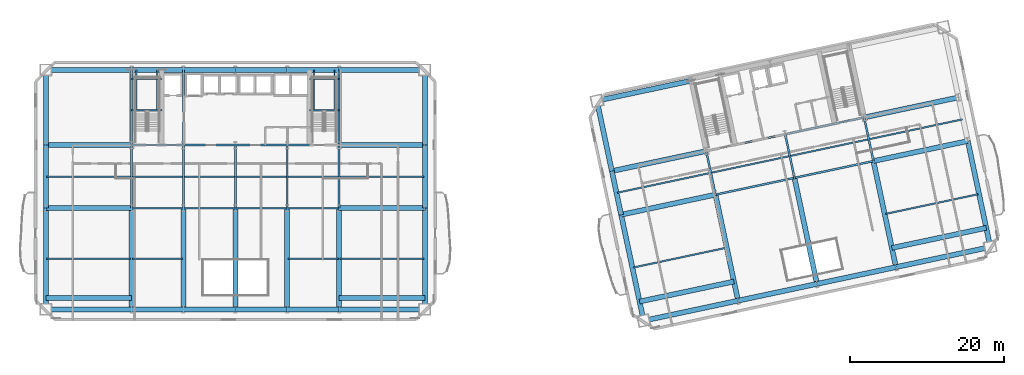
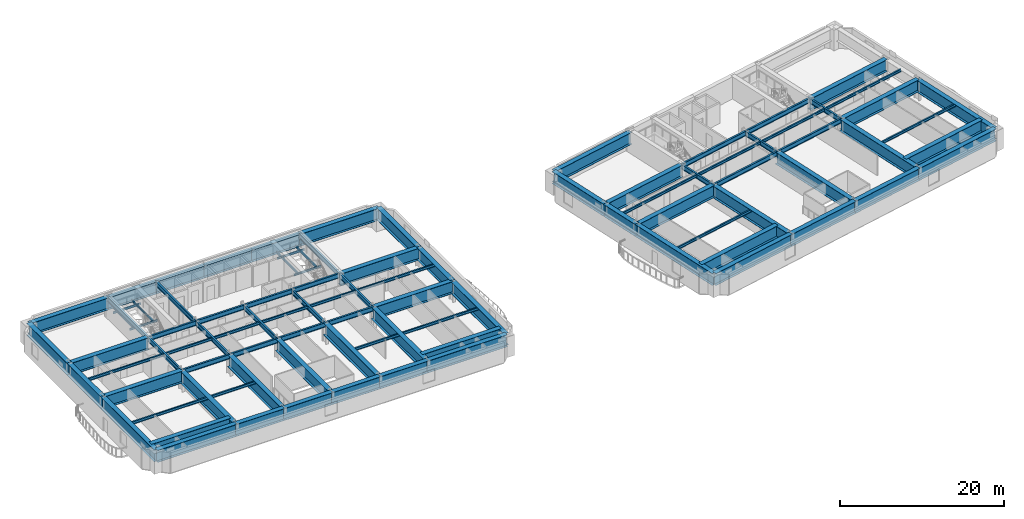
# One storey, part 3 of 18: 94 beams.
"""IFC4 building model written with IfcOpenShell, lengths in metres."""

import ifcopenshell
import ifcopenshell.guid

model = None  # the IFC model being written
_history = None  # IfcOwnerHistory: only IFC2X3 demands one
_inside = {}  # id of a spatial element -> (the spatial element, [elements in it])
_under = {}  # id of a project, library or spatial element -> (it, [spatial elements below it])
_declared = {}  # id of a project -> (the project, [libraries it declares])
_typed = {}  # id of a type object -> (the type object, [elements of that type])
_made_of = {}  # id of a material, layer set ... -> (it, [elements and type objects made of it])


def new_model(schema):
    """Start an empty IFC model of exactly this schema.

    Asked for "IFC4X3", IfcOpenShell would pick the latest addendum, in which some entities
    have other attributes; the version numbers below select the first issue.
    IFC2X3 requires an IfcOwnerHistory on every rooted entity: one is made here for all.
    """
    global model, _history
    if schema == "IFC4X3":
        model = ifcopenshell.file(schema_version=(4, 3, 0, 0))
    else:
        model = ifcopenshell.file(schema=schema)
    _inside.clear()
    _under.clear()
    _declared.clear()
    _typed.clear()
    _made_of.clear()
    _history = None
    if model.schema == "IFC2X3":
        org = make("IfcOrganization", Name="unknown")
        user = make(
            "IfcPersonAndOrganization",
            ThePerson=make("IfcPerson", FamilyName="unknown"),
            TheOrganization=org,
        )
        app = make(
            "IfcApplication",
            ApplicationDeveloper=org,
            Version="unknown",
            ApplicationFullName="unknown",
            ApplicationIdentifier="unknown",
        )
        _history = make(
            "IfcOwnerHistory",
            OwningUser=user,
            OwningApplication=app,
            ChangeAction="ADDED",
            CreationDate=0,
        )
    return model


def make(cls, **values):
    """One entity of the class cls with the attributes given. An attribute that is None is left unset."""
    return model.create_entity(
        cls, **{name: value for name, value in values.items() if value is not None}
    )


def rooted(cls, **values):
    """An entity with a GlobalId (a new one), such as an element, a storey or a relation."""
    return make(cls, GlobalId=ifcopenshell.guid.new(), OwnerHistory=_history, **values)


def si_unit(unit_type, name, prefix=None):
    """IfcSIUnit, for example si_unit("LENGTHUNIT", "METRE", prefix="MILLI")."""
    return make("IfcSIUnit", UnitType=unit_type, Prefix=prefix, Name=name)


def assignment(units):
    """IfcUnitAssignment: the units of a project."""
    return None if units is None else make("IfcUnitAssignment", Units=units)


def point(xyz):
    """IfcCartesianPoint."""
    return None if xyz is None else make("IfcCartesianPoint", Coordinates=xyz)


def direction(xyz):
    """IfcDirection."""
    return None if xyz is None else make("IfcDirection", DirectionRatios=xyz)


def frame(location, z_axis=None, x_axis=None):
    """IfcAxis2Placement3D, a coordinate frame: its origin and axes. An axis left out is left unset."""
    return make(
        "IfcAxis2Placement3D",
        Location=point(location),
        Axis=direction(z_axis),
        RefDirection=direction(x_axis),
    )


def frame_2d(location, x_axis=None):
    """IfcAxis2Placement2D, a coordinate frame in the plane: its origin and x axis."""
    return make(
        "IfcAxis2Placement2D", Location=point(location), RefDirection=direction(x_axis)
    )


def origin():
    """The frame at (0, 0, 0) with its axes left unset."""
    return frame((0.0, 0.0, 0.0))


def origin_2d():
    """The frame at (0, 0) in the plane with its x axis left unset."""
    return frame_2d((0.0, 0.0))


def place(relative_to, where):
    """IfcLocalPlacement: puts the frame where relative to a parent placement (None: the world)."""
    return make(
        "IfcLocalPlacement", PlacementRelTo=relative_to, RelativePlacement=where
    )


def context(
    kind, dimensions, precision=None, world=None, true_north=None, identifier=None
):
    """IfcGeometricRepresentationContext, for example the 3D "Model" context."""
    return make(
        "IfcGeometricRepresentationContext",
        ContextIdentifier=identifier,
        ContextType=kind,
        CoordinateSpaceDimension=dimensions,
        Precision=precision,
        WorldCoordinateSystem=world,
        TrueNorth=true_north,
    )


def subcontext(parent, identifier, kind, view, scale=None):
    """IfcGeometricRepresentationSubContext, for example "Body" below "Model"."""
    return make(
        "IfcGeometricRepresentationSubContext",
        ContextIdentifier=identifier,
        ContextType=kind,
        ParentContext=parent,
        TargetScale=scale,
        TargetView=view,
    )


def project(units=None, contexts=None):
    """IfcProject with its units and contexts."""
    return rooted(
        "IfcProject",
        Name="project",
        RepresentationContexts=contexts,
        UnitsInContext=assignment(units),
    )


def spatial(cls, under=None, at=None, **own):
    """A site, building, storey or space (cls), placed at a placement, below another one or the project."""
    s = rooted(cls, ObjectPlacement=at, **own)
    if under is not None:
        _under.setdefault(under.id(), (under, []))[1].append(s)
    return s


def profile(cls, at=None, kind="AREA", **sizes):
    """A parametric profile (cls). Its sizes go by their IFC names, for example OverallWidth=200.0."""
    return make(cls, ProfileType=kind, Position=at, **sizes)


def i_section(**sizes):
    """IfcIShapeProfileDef."""
    return profile("IfcIShapeProfileDef", **sizes)


def extrude(swept, where, along, depth):
    """IfcExtrudedAreaSolid: the profile swept, set in the frame where, extruded along a direction by depth."""
    return make(
        "IfcExtrudedAreaSolid",
        SweptArea=swept,
        Position=where,
        ExtrudedDirection=direction(along),
        Depth=depth,
    )


def shape(context_of_items, identifier, shape_type, items):
    """IfcShapeRepresentation: the items that make up one representation, for example the "Body"."""
    return make(
        "IfcShapeRepresentation",
        ContextOfItems=context_of_items,
        RepresentationIdentifier=identifier,
        RepresentationType=shape_type,
        Items=items,
    )


def material(Name=None, Category=None):
    """IfcMaterial."""
    return make("IfcMaterial", Name=Name, Category=Category)


def material_profile(
    of_material, cross_section, Name=None, Category=None, Priority=None
):
    """IfcMaterialProfile: a cross section and its material."""
    return make(
        "IfcMaterialProfile",
        Name=Name,
        Material=of_material,
        Profile=cross_section,
        Priority=Priority,
        Category=Category,
    )


def profile_set(profiles, Name=None, composite=None):
    """IfcMaterialProfileSet."""
    return make(
        "IfcMaterialProfileSet",
        Name=Name,
        MaterialProfiles=profiles,
        CompositeProfile=composite,
    )


def made_of(thing, what):
    """Note that an element or type object is made of a material, layer set ...; save() writes the relation."""
    if what is not None:
        _made_of.setdefault(what.id(), (what, []))[1].append(thing)
    return thing


def type_object(cls, material=None, **own):
    """A type object (cls), such as IfcWallType, which elements share."""
    return made_of(rooted(cls, **own), material)


def element(
    cls,
    number,
    at=None,
    inside=None,
    cuts=None,
    type_object=None,
    material=None,
    context=None,
    identifier="Body",
    shape_type=None,
    held_by="IfcProductDefinitionShape",
    body=None,
    shapes=None,
    **own,
):
    """One element of the class cls, such as IfcWall. Its Tag is "e" and its number.

    at: its placement. inside: the storey or other place that contains it. cuts: it is an
    opening in that element (IfcRelVoidsElement). A single representation is given by context,
    identifier, shape_type and body (its items); several are given by shapes. held_by: the class
    of the entity that holds the representations. save() writes the other relations.
    """
    e = rooted(cls, Tag="e%d" % number, ObjectPlacement=at, **own)
    if body is not None:
        shapes = [shape(context, identifier, shape_type, body)]
    if shapes is not None:
        e.Representation = make(held_by, Representations=shapes)
    if inside is not None:
        _inside.setdefault(inside.id(), (inside, []))[1].append(e)
    if cuts is not None:
        rooted(
            "IfcRelVoidsElement", RelatingBuildingElement=cuts, RelatedOpeningElement=e
        )
    if type_object is not None:
        _typed.setdefault(type_object.id(), (type_object, []))[1].append(e)
    return made_of(e, material)


def aggregate(whole, parts):
    """IfcRelAggregates: a whole, such as a stair, and the parts it consists of."""
    return rooted("IfcRelAggregates", RelatingObject=whole, RelatedObjects=parts)


def save(model, path):
    """Write the relations noted so far, then the file.

    IfcRelAggregates (storeys below a building ...), IfcRelContainedInSpatialStructure (elements
    in a storey), IfcRelDefinesByType, IfcRelAssociatesMaterial and IfcRelDeclares: one each for
    every whole, place, type object, material and project.
    """
    for whole, parts in _under.values():
        aggregate(whole, parts)
    for where, things in _inside.values():
        rooted(
            "IfcRelContainedInSpatialStructure",
            RelatedElements=things,
            RelatingStructure=where,
        )
    for kind, things in _typed.values():
        rooted("IfcRelDefinesByType", RelatedObjects=things, RelatingType=kind)
    for what, things in _made_of.values():
        rooted("IfcRelAssociatesMaterial", RelatedObjects=things, RelatingMaterial=what)
    for by, libraries in _declared.values():
        rooted("IfcRelDeclares", RelatingContext=by, RelatedDefinitions=libraries)
    model.write(path)


model = new_model("IFC4")

# Units and contexts
model_context = context("Model", 3, precision=1e-05, world=origin(), true_north=direction((0.0, 1.0)))
body_context = subcontext(model_context, "Body", "Model", "MODEL_VIEW")
ifc_project = project(units=[si_unit("LENGTHUNIT", "METRE"), si_unit("AREAUNIT", "SQUARE_METRE"), si_unit("VOLUMEUNIT", "CUBIC_METRE"), si_unit("PLANEANGLEUNIT", "RADIAN"), si_unit("MASSUNIT", "GRAM", prefix="KILO")], contexts=[model_context])

# Site, building, storey
site_placement = place(None, origin())
site = spatial("IfcSite", under=ifc_project, at=site_placement, CompositionType="ELEMENT")
building_placement = place(site_placement, origin())
building = spatial("IfcBuilding", under=site, at=building_placement, Name="Haevon Station Towers", CompositionType="ELEMENT")
storey_placement = place(building_placement, frame((0.0, 0.0, 66.89990234375)))
storey = spatial("IfcBuildingStorey", under=building, at=storey_placement, Name="L17", CompositionType="ELEMENT", Elevation=66.89990234375)

# Beams
ifc_material_1 = material(Name="Steel S355", Category="steel")
ifc_material_profile_1 = material_profile(ifc_material_1, i_section(OverallWidth=0.25, OverallDepth=0.699951171875, WebThickness=0.012939453125, FlangeThickness=0.02392578125, at=origin_2d()), Name="H-700x250x13x24")
ifc_profile_set_1 = profile_set([ifc_material_profile_1], Name="Steel S355")
beam_type_1 = type_object("IfcBeamType", Name="BM-G700", PredefinedType="BEAM", material=ifc_profile_set_1)
for number, where, z_axis, x_axis, name in (
    (1, (24.0, 30.0, 2.7001953125), (1.0, 0.0, 0.0), (0.0, 1.0, 0.0), "BM-T1U-L17-02-02"),
    (2, (30.75, 30.0, 2.7001953125), (1.0, 0.0, 0.0), (0.0, 1.0, 0.0), "BM-T1U-L17-02-03"),
    (3, (37.5, 30.0, 2.7001953125), (1.0, 0.0, 0.0), (0.0, 1.0, 0.0), "BM-T1U-L17-02-04"),
    (4, (44.25, 30.0, 2.7001953125), (1.0, 0.0, 0.0), (0.0, 1.0, 0.0), "BM-T1U-L17-02-05"),
    (5, (24.0, 38.199951171875, 2.7001953125), (1.0, 0.0, 0.0), (0.0, 1.0, 0.0), "BM-T1U-L17-03-02"),
    (6, (30.75, 38.199951171875, 2.7001953125), (1.0, 0.0, 0.0), (0.0, 1.0, 0.0), "BM-T1U-L17-03-03"),
    (7, (37.5, 38.199951171875, 2.7001953125), (1.0, 0.0, 0.0), (0.0, 1.0, 0.0), "BM-T1U-L17-03-04"),
    (8, (44.25, 38.199951171875, 2.7001953125), (1.0, 0.0, 0.0), (0.0, 1.0, 0.0), "BM-T1U-L17-03-05"),
):
    element("IfcBeam", number, at=place(storey_placement, frame(where, z_axis=z_axis, x_axis=x_axis)), inside=storey, type_object=beam_type_1, Name=name, PredefinedType="BEAM", context=body_context, shape_type="SweptSolid", body=[
        extrude(i_section(OverallWidth=0.25, OverallDepth=0.699951171875, WebThickness=0.012939453125, FlangeThickness=0.02392578125, at=origin_2d()), origin(), (0.0, 0.0, 1.0), 6.75),
    ])
beam_1_placement = place(storey_placement, frame((24.0, 30.0, 2.7001953125), z_axis=(0.0, 1.0, 0.0), x_axis=(-1.0, 0.0, 0.0)))
element("IfcBeam", 9, at=beam_1_placement, inside=storey, type_object=beam_type_1, Name="BM-T1V-L17-02-02", PredefinedType="BEAM", context=body_context, shape_type="SweptSolid", body=[
    extrude(i_section(OverallWidth=0.25, OverallDepth=0.699951171875, WebThickness=0.012939453125, FlangeThickness=0.02392578125, at=origin_2d()), origin(), (0.0, 0.0, 1.0), 8.199951171875),
])
beam_2_placement = place(storey_placement, frame((24.0, 38.199951171875, 2.7001953125), z_axis=(0.0, 1.0, 0.0), x_axis=(-1.0, 0.0, 0.0)))
element("IfcBeam", 10, at=beam_2_placement, inside=storey, type_object=beam_type_1, Name="BM-T1V-L17-02-03", PredefinedType="BEAM", context=body_context, shape_type="SweptSolid", body=[
    extrude(i_section(OverallWidth=0.25, OverallDepth=0.699951171875, WebThickness=0.012939453125, FlangeThickness=0.02392578125, at=origin_2d()), origin(), (0.0, 0.0, 1.0), 9.800048828125),
])
beam_3_placement = place(storey_placement, frame((30.75, 30.0, 2.7001953125), z_axis=(0.0, 1.0, 0.0), x_axis=(-1.0, 0.0, 0.0)))
element("IfcBeam", 11, at=beam_3_placement, inside=storey, type_object=beam_type_1, Name="BM-T1V-L17-03-02", PredefinedType="BEAM", context=body_context, shape_type="SweptSolid", body=[
    extrude(i_section(OverallWidth=0.25, OverallDepth=0.699951171875, WebThickness=0.012939453125, FlangeThickness=0.02392578125, at=origin_2d()), origin(), (0.0, 0.0, 1.0), 8.199951171875),
])
beam_4_placement = place(storey_placement, frame((30.75, 38.199951171875, 2.7001953125), z_axis=(0.0, 1.0, 0.0), x_axis=(-1.0, 0.0, 0.0)))
element("IfcBeam", 12, at=beam_4_placement, inside=storey, type_object=beam_type_1, Name="BM-T1V-L17-03-03", PredefinedType="BEAM", context=body_context, shape_type="SweptSolid", body=[
    extrude(i_section(OverallWidth=0.25, OverallDepth=0.699951171875, WebThickness=0.012939453125, FlangeThickness=0.02392578125, at=origin_2d()), origin(), (0.0, 0.0, 1.0), 9.800048828125),
])
for number, where, z_axis, x_axis, name in (
    (13, (37.5, 30.0, 2.7001953125), (0.0, 1.0, 0.0), (-1.0, 0.0, 0.0), "BM-T1V-L17-04-02"),
    (14, (44.25, 30.0, 2.7001953125), (0.0, 1.0, 0.0), (-1.0, 0.0, 0.0), "BM-T1V-L17-05-02"),
    (15, (51.0, 30.0, 2.7001953125), (0.0, 1.0, 0.0), (-1.0, 0.0, 0.0), "BM-T1V-L17-06-02"),
):
    element("IfcBeam", number, at=place(storey_placement, frame(where, z_axis=z_axis, x_axis=x_axis)), inside=storey, type_object=beam_type_1, Name=name, PredefinedType="BEAM", context=body_context, shape_type="SweptSolid", body=[
        extrude(i_section(OverallWidth=0.25, OverallDepth=0.699951171875, WebThickness=0.012939453125, FlangeThickness=0.02392578125, at=origin_2d()), origin(), (0.0, 0.0, 1.0), 8.199951171875),
    ])
beam_5_placement = place(storey_placement, frame((51.0, 38.199951171875, 2.7001953125), z_axis=(0.0, 1.0, 0.0), x_axis=(-1.0, 0.0, 0.0)))
element("IfcBeam", 16, at=beam_5_placement, inside=storey, type_object=beam_type_1, Name="BM-T1V-L17-06-03", PredefinedType="BEAM", context=body_context, shape_type="SweptSolid", body=[
    extrude(i_section(OverallWidth=0.25, OverallDepth=0.699951171875, WebThickness=0.012939453125, FlangeThickness=0.02392578125, at=origin_2d()), origin(), (0.0, 0.0, 1.0), 9.800048828125),
])
for number, where, z_axis, x_axis, name in (
    (17, (99.958251953125, 31.76904296875, 2.7001953125), (0.978146794194, 0.207915485254, 0.0), (-0.207915485254, 0.978146794194, 0.0), "BM-T2U-L17-02-02"),
    (18, (110.228759765625, 33.9521484375, 2.7001953125), (0.978146794194, 0.207915485254, 0.0), (-0.207915485254, 0.978146794194, 0.0), "BM-T2U-L17-02-03"),
    (19, (98.75244140625, 37.4423828125, 2.7001953125), (0.978146794194, 0.207915485254, 0.0), (-0.207915485254, 0.978146794194, 0.0), "BM-T2U-L17-03-02"),
    (20, (109.02294921875, 39.62548828125, 2.7001953125), (0.978146794194, 0.207915485254, 0.0), (-0.207915485254, 0.978146794194, 0.0), "BM-T2U-L17-03-03"),
):
    element("IfcBeam", number, at=place(storey_placement, frame(where, z_axis=z_axis, x_axis=x_axis)), inside=storey, type_object=beam_type_1, Name=name, PredefinedType="BEAM", context=body_context, shape_type="SweptSolid", body=[
        extrude(i_section(OverallWidth=0.25, OverallDepth=0.699951171875, WebThickness=0.012939453125, FlangeThickness=0.02392578125, at=origin_2d()), origin(), (0.0, 0.0, 1.0), 10.5),
    ])
for number, where, z_axis, x_axis, name in (
    (21, (99.958251953125, 31.76904296875, 2.7001953125), (-0.207896009217, 0.97815093383, 0.0), (-0.97815093383, -0.207896009217, 0.0), "BM-T2V-L17-02-02"),
    (22, (110.228759765625, 33.9521484375, 2.7001953125), (-0.207896009217, 0.97815093383, 0.0), (-0.97815093383, -0.207896009217, 0.0), "BM-T2V-L17-03-02"),
    (23, (120.499267578125, 36.13525390625, 2.7001953125), (-0.207896009217, 0.97815093383, 0.0), (-0.97815093383, -0.207896009217, 0.0), "BM-T2V-L17-04-02"),
):
    element("IfcBeam", number, at=place(storey_placement, frame(where, z_axis=z_axis, x_axis=x_axis)), inside=storey, type_object=beam_type_1, Name=name, PredefinedType="BEAM", context=body_context, shape_type="SweptSolid", body=[
        extrude(i_section(OverallWidth=0.25, OverallDepth=0.699951171875, WebThickness=0.012939453125, FlangeThickness=0.02392578125, at=origin_2d()), origin(), (0.0, 0.0, 1.0), 5.800048828125),
    ])
ifc_material_profile_2 = material_profile(ifc_material_1, i_section(OverallWidth=0.199951171875, OverallDepth=0.39990234375, WebThickness=0.008056640625, FlangeThickness=0.012939453125, at=origin_2d()), Name="H-400x200x8x13")
ifc_profile_set_2 = profile_set([ifc_material_profile_2], Name="Steel S355")
beam_type_2 = type_object("IfcBeamType", Name="BM-J400", PredefinedType="JOIST", material=ifc_profile_set_2)
beam_6_placement = place(storey_placement, frame((12.9599609375, 23.425048828125, 2.85009765625), z_axis=(1.0, 0.0, 0.0), x_axis=(0.0, 1.0, 0.0)))
element("IfcBeam", 24, at=beam_6_placement, inside=storey, type_object=beam_type_2, Name="BM-T1J-L17-01-01", PredefinedType="JOIST", context=body_context, shape_type="SweptSolid", body=[
    extrude(i_section(OverallWidth=0.199951171875, OverallDepth=0.39990234375, WebThickness=0.008056640625, FlangeThickness=0.012939453125, at=origin_2d()), origin(), (0.0, 0.0, 1.0), 10.929931640625),
])
for number, where, z_axis, x_axis, name in (
    (25, (24.110107421875, 23.425048828125, 2.85009765625), (1.0, 0.0, 0.0), (0.0, 1.0, 0.0), "BM-T1J-L17-01-02"),
    (26, (44.360107421875, 23.425048828125, 2.85009765625), (1.0, 0.0, 0.0), (0.0, 1.0, 0.0), "BM-T1J-L17-01-05"),
):
    element("IfcBeam", number, at=place(storey_placement, frame(where, z_axis=z_axis, x_axis=x_axis)), inside=storey, type_object=beam_type_2, Name=name, PredefinedType="JOIST", context=body_context, shape_type="SweptSolid", body=[
        extrude(i_section(OverallWidth=0.199951171875, OverallDepth=0.39990234375, WebThickness=0.008056640625, FlangeThickness=0.012939453125, at=origin_2d()), origin(), (0.0, 0.0, 1.0), 6.52978515625),
    ])
for number, where, z_axis, x_axis, name in (
    (27, (51.110107421875, 23.425048828125, 2.85009765625), (1.0, 0.0, 0.0), (0.0, 1.0, 0.0), "BM-T1J-L17-01-06"),
    (28, (12.9599609375, 34.10009765625, 2.85009765625), (1.0, 0.0, 0.0), (0.0, 1.0, 0.0), "BM-T1J-L17-02-01"),
):
    element("IfcBeam", number, at=place(storey_placement, frame(where, z_axis=z_axis, x_axis=x_axis)), inside=storey, type_object=beam_type_2, Name=name, PredefinedType="JOIST", context=body_context, shape_type="SweptSolid", body=[
        extrude(i_section(OverallWidth=0.199951171875, OverallDepth=0.39990234375, WebThickness=0.008056640625, FlangeThickness=0.012939453125, at=origin_2d()), origin(), (0.0, 0.0, 1.0), 10.929931640625),
    ])
for number, where, z_axis, x_axis, name in (
    (29, (24.110107421875, 34.10009765625, 2.85009765625), (1.0, 0.0, 0.0), (0.0, 1.0, 0.0), "BM-T1J-L17-02-02"),
    (30, (30.860107421875, 34.10009765625, 2.85009765625), (1.0, 0.0, 0.0), (0.0, 1.0, 0.0), "BM-T1J-L17-02-03"),
    (31, (37.610107421875, 34.10009765625, 2.85009765625), (1.0, 0.0, 0.0), (0.0, 1.0, 0.0), "BM-T1J-L17-02-04"),
    (32, (44.360107421875, 34.10009765625, 2.85009765625), (1.0, 0.0, 0.0), (0.0, 1.0, 0.0), "BM-T1J-L17-02-05"),
):
    element("IfcBeam", number, at=place(storey_placement, frame(where, z_axis=z_axis, x_axis=x_axis)), inside=storey, type_object=beam_type_2, Name=name, PredefinedType="JOIST", context=body_context, shape_type="SweptSolid", body=[
        extrude(i_section(OverallWidth=0.199951171875, OverallDepth=0.39990234375, WebThickness=0.008056640625, FlangeThickness=0.012939453125, at=origin_2d()), origin(), (0.0, 0.0, 1.0), 6.52978515625),
    ])
beam_7_placement = place(storey_placement, frame((51.110107421875, 34.10009765625, 2.85009765625), z_axis=(1.0, 0.0, 0.0), x_axis=(0.0, 1.0, 0.0)))
element("IfcBeam", 33, at=beam_7_placement, inside=storey, type_object=beam_type_2, Name="BM-T1J-L17-02-06", PredefinedType="JOIST", context=body_context, shape_type="SweptSolid", body=[
    extrude(i_section(OverallWidth=0.199951171875, OverallDepth=0.39990234375, WebThickness=0.008056640625, FlangeThickness=0.012939453125, at=origin_2d()), origin(), (0.0, 0.0, 1.0), 10.929931640625),
])
for number, where, z_axis, x_axis, name in (
    (34, (89.255859375, 22.286865234375, 2.85009765625), (0.97814878519, 0.20790611831, 0.0), (-0.20790611831, 0.97814878519, 0.0), "BM-T2J-L17-01-01"),
    (35, (122.07275390625, 29.26220703125, 2.85009765625), (0.97814878519, 0.20790611831, 0.0), (-0.20790611831, 0.97814878519, 0.0), "BM-T2J-L17-01-04"),
    (36, (87.187255859375, 32.019287109375, 2.85009765625), (0.978144758315, 0.207925062896, 0.0), (-0.207925062896, 0.978144758315, 0.0), "BM-T2J-L17-02-01"),
):
    element("IfcBeam", number, at=place(storey_placement, frame(where, z_axis=z_axis, x_axis=x_axis)), inside=storey, type_object=beam_type_2, Name=name, PredefinedType="JOIST", context=body_context, shape_type="SweptSolid", body=[
        extrude(i_section(OverallWidth=0.199951171875, OverallDepth=0.39990234375, WebThickness=0.008056640625, FlangeThickness=0.012939453125, at=origin_2d()), origin(), (0.0, 0.0, 1.0), 12.330078125),
    ])
for number, where, z_axis, x_axis, name in (
    (37, (99.462890625, 34.628662109375, 2.85009765625), (0.978150339653, 0.207898804801, 0.0), (-0.207898804801, 0.978150339653, 0.0), "BM-T2J-L17-02-02"),
    (38, (109.7333984375, 36.811767578125, 2.85009765625), (0.978150339653, 0.207898804801, 0.0), (-0.207898804801, 0.978150339653, 0.0), "BM-T2J-L17-02-03"),
):
    element("IfcBeam", number, at=place(storey_placement, frame(where, z_axis=z_axis, x_axis=x_axis)), inside=storey, type_object=beam_type_2, Name=name, PredefinedType="JOIST", context=body_context, shape_type="SweptSolid", body=[
        extrude(i_section(OverallWidth=0.199951171875, OverallDepth=0.39990234375, WebThickness=0.008056640625, FlangeThickness=0.012939453125, at=origin_2d()), origin(), (0.0, 0.0, 1.0), 10.280029296875),
    ])
beam_8_placement = place(storey_placement, frame((120.00390625, 38.994873046875, 2.85009765625), z_axis=(0.97814878519, 0.20790611831, 0.0), x_axis=(-0.20790611831, 0.97814878519, 0.0)))
element("IfcBeam", 39, at=beam_8_placement, inside=storey, type_object=beam_type_2, Name="BM-T2J-L17-02-04", PredefinedType="JOIST", context=body_context, shape_type="SweptSolid", body=[
    extrude(i_section(OverallWidth=0.199951171875, OverallDepth=0.39990234375, WebThickness=0.008056640625, FlangeThickness=0.012939453125, at=origin_2d()), origin(), (0.0, 0.0, 1.0), 12.330078125),
])
ifc_material_profile_3 = material_profile(ifc_material_1, i_section(OverallWidth=0.14990234375, OverallDepth=0.300048828125, WebThickness=0.006591796875, FlangeThickness=0.009033203125, at=origin_2d()), Name="H-300x150x6.5x9")
ifc_profile_set_3 = profile_set([ifc_material_profile_3], Name="Steel S355")
beam_type_3 = type_object("IfcBeamType", Name="BM-LIN300", PredefinedType="LINTEL", material=ifc_profile_set_3)
for number, where, z_axis, x_axis, name in (
    (40, (24.0, 42.743896484375, 1.300048828125), (1.0, 0.0, 0.0), (0.0, 1.0, 0.0), "BM-ST1L-L17-1-S"),
    (41, (24.0, 46.820068359375, 1.300048828125), (1.0, 0.0, 0.0), (0.0, 1.0, 0.0), "BM-ST1L-L17-1-N"),
):
    element("IfcBeam", number, at=place(storey_placement, frame(where, z_axis=z_axis, x_axis=x_axis)), inside=storey, type_object=beam_type_3, Name=name, PredefinedType="LINTEL", context=body_context, shape_type="SweptSolid", body=[
        extrude(i_section(OverallWidth=0.14990234375, OverallDepth=0.300048828125, WebThickness=0.006591796875, FlangeThickness=0.009033203125, at=origin_2d()), origin(), (0.0, 0.0, 1.0), 3.949951171875),
    ])
for number, where, z_axis, x_axis, name in (
    (42, (24.60009765625, 42.743896484375, 1.300048828125), (0.0, 1.0, 0.0), (-1.0, 0.0, 0.0), "BM-ST1L-L17-1-W"),
    (43, (27.35009765625, 42.743896484375, 1.300048828125), (0.0, 1.0, 0.0), (-1.0, 0.0, 0.0), "BM-ST1L-L17-1-E"),
):
    element("IfcBeam", number, at=place(storey_placement, frame(where, z_axis=z_axis, x_axis=x_axis)), inside=storey, type_object=beam_type_3, Name=name, PredefinedType="LINTEL", context=body_context, shape_type="SweptSolid", body=[
        extrude(i_section(OverallWidth=0.14990234375, OverallDepth=0.300048828125, WebThickness=0.006591796875, FlangeThickness=0.009033203125, at=origin_2d()), origin(), (0.0, 0.0, 1.0), 5.256103515625),
    ])
for number, where, z_axis, x_axis, name in (
    (44, (47.14990234375, 42.743896484375, 1.300048828125), (1.0, 0.0, 0.0), (0.0, 1.0, 0.0), "BM-ST2L-L17-1-S"),
    (45, (47.14990234375, 46.820068359375, 1.300048828125), (1.0, 0.0, 0.0), (0.0, 1.0, 0.0), "BM-ST2L-L17-1-N"),
):
    element("IfcBeam", number, at=place(storey_placement, frame(where, z_axis=z_axis, x_axis=x_axis)), inside=storey, type_object=beam_type_3, Name=name, PredefinedType="LINTEL", context=body_context, shape_type="SweptSolid", body=[
        extrude(i_section(OverallWidth=0.14990234375, OverallDepth=0.300048828125, WebThickness=0.006591796875, FlangeThickness=0.009033203125, at=origin_2d()), origin(), (0.0, 0.0, 1.0), 3.85009765625),
    ])
for number, where, z_axis, x_axis, name in (
    (46, (47.75, 42.743896484375, 1.300048828125), (0.0, 1.0, 0.0), (-1.0, 0.0, 0.0), "BM-ST2L-L17-1-W"),
    (47, (50.39990234375, 42.743896484375, 1.300048828125), (0.0, 1.0, 0.0), (-1.0, 0.0, 0.0), "BM-ST2L-L17-1-E"),
):
    element("IfcBeam", number, at=place(storey_placement, frame(where, z_axis=z_axis, x_axis=x_axis)), inside=storey, type_object=beam_type_3, Name=name, PredefinedType="LINTEL", context=body_context, shape_type="SweptSolid", body=[
        extrude(i_section(OverallWidth=0.14990234375, OverallDepth=0.300048828125, WebThickness=0.006591796875, FlangeThickness=0.009033203125, at=origin_2d()), origin(), (0.0, 0.0, 1.0), 5.256103515625),
    ])
ifc_material_2 = material(Name="Steel S460", Category="steel")
ifc_material_profile_4 = material_profile(ifc_material_2, i_section(OverallWidth=0.64990234375, OverallDepth=1.800048828125, WebThickness=0.02490234375, FlangeThickness=0.0400390625, at=origin_2d()), Name="H-1800x650x25x40")
ifc_profile_set_4 = profile_set([ifc_material_profile_4], Name="Steel S460")
beam_type_4 = type_object("IfcBeamType", Name="BM-TG1800", PredefinedType="BEAM", material=ifc_profile_set_4)
beam_9_placement = place(storey_placement, frame((12.85009765625, 16.85009765625, 2.150146484375), z_axis=(1.0, 0.0, 0.0), x_axis=(0.0, 1.0, 0.0)))
element("IfcBeam", 48, at=beam_9_placement, inside=storey, type_object=beam_type_4, Name="BM-T1U-L17-01-01", PredefinedType="BEAM", context=body_context, shape_type="SweptSolid", body=[
    extrude(i_section(OverallWidth=0.64990234375, OverallDepth=1.800048828125, WebThickness=0.02490234375, FlangeThickness=0.0400390625, at=origin_2d()), origin(), (0.0, 0.0, 1.0), 11.14990234375),
])
for number, where, z_axis, x_axis, name in (
    (49, (24.0, 16.85009765625, 2.150146484375), (1.0, 0.0, 0.0), (0.0, 1.0, 0.0), "BM-T1U-L17-01-02"),
    (50, (30.75, 16.85009765625, 2.150146484375), (1.0, 0.0, 0.0), (0.0, 1.0, 0.0), "BM-T1U-L17-01-03"),
    (51, (37.5, 16.85009765625, 2.150146484375), (1.0, 0.0, 0.0), (0.0, 1.0, 0.0), "BM-T1U-L17-01-04"),
    (52, (44.25, 16.85009765625, 2.150146484375), (1.0, 0.0, 0.0), (0.0, 1.0, 0.0), "BM-T1U-L17-01-05"),
):
    element("IfcBeam", number, at=place(storey_placement, frame(where, z_axis=z_axis, x_axis=x_axis)), inside=storey, type_object=beam_type_4, Name=name, PredefinedType="BEAM", context=body_context, shape_type="SweptSolid", body=[
        extrude(i_section(OverallWidth=0.64990234375, OverallDepth=1.800048828125, WebThickness=0.02490234375, FlangeThickness=0.0400390625, at=origin_2d()), origin(), (0.0, 0.0, 1.0), 6.75),
    ])
for number, where, z_axis, x_axis, name in (
    (53, (51.0, 16.85009765625, 2.150146484375), (1.0, 0.0, 0.0), (0.0, 1.0, 0.0), "BM-T1U-L17-01-06"),
    (54, (12.85009765625, 30.0, 2.150146484375), (1.0, 0.0, 0.0), (0.0, 1.0, 0.0), "BM-T1U-L17-02-01"),
    (55, (51.0, 30.0, 2.150146484375), (1.0, 0.0, 0.0), (0.0, 1.0, 0.0), "BM-T1U-L17-02-06"),
    (56, (12.85009765625, 38.199951171875, 2.150146484375), (1.0, 0.0, 0.0), (0.0, 1.0, 0.0), "BM-T1U-L17-03-01"),
    (57, (51.0, 38.199951171875, 2.150146484375), (1.0, 0.0, 0.0), (0.0, 1.0, 0.0), "BM-T1U-L17-03-06"),
    (58, (12.85009765625, 48.0, 2.150146484375), (1.0, 0.0, 0.0), (0.0, 1.0, 0.0), "BM-T1U-L17-04-01"),
):
    element("IfcBeam", number, at=place(storey_placement, frame(where, z_axis=z_axis, x_axis=x_axis)), inside=storey, type_object=beam_type_4, Name=name, PredefinedType="BEAM", context=body_context, shape_type="SweptSolid", body=[
        extrude(i_section(OverallWidth=0.64990234375, OverallDepth=1.800048828125, WebThickness=0.02490234375, FlangeThickness=0.0400390625, at=origin_2d()), origin(), (0.0, 0.0, 1.0), 11.14990234375),
    ])
for number, where, z_axis, x_axis, name in (
    (59, (24.0, 48.0, 2.150146484375), (1.0, 0.0, 0.0), (0.0, 1.0, 0.0), "BM-T1U-L17-04-02"),
    (60, (30.75, 48.0, 2.150146484375), (1.0, 0.0, 0.0), (0.0, 1.0, 0.0), "BM-T1U-L17-04-03"),
    (61, (37.5, 48.0, 2.150146484375), (1.0, 0.0, 0.0), (0.0, 1.0, 0.0), "BM-T1U-L17-04-04"),
    (62, (44.25, 48.0, 2.150146484375), (1.0, 0.0, 0.0), (0.0, 1.0, 0.0), "BM-T1U-L17-04-05"),
):
    element("IfcBeam", number, at=place(storey_placement, frame(where, z_axis=z_axis, x_axis=x_axis)), inside=storey, type_object=beam_type_4, Name=name, PredefinedType="BEAM", context=body_context, shape_type="SweptSolid", body=[
        extrude(i_section(OverallWidth=0.64990234375, OverallDepth=1.800048828125, WebThickness=0.02490234375, FlangeThickness=0.0400390625, at=origin_2d()), origin(), (0.0, 0.0, 1.0), 6.75),
    ])
beam_10_placement = place(storey_placement, frame((51.0, 48.0, 2.150146484375), z_axis=(1.0, 0.0, 0.0), x_axis=(0.0, 1.0, 0.0)))
element("IfcBeam", 63, at=beam_10_placement, inside=storey, type_object=beam_type_4, Name="BM-T1U-L17-04-06", PredefinedType="BEAM", context=body_context, shape_type="SweptSolid", body=[
    extrude(i_section(OverallWidth=0.64990234375, OverallDepth=1.800048828125, WebThickness=0.02490234375, FlangeThickness=0.0400390625, at=origin_2d()), origin(), (0.0, 0.0, 1.0), 11.14990234375),
])
beam_11_placement = place(storey_placement, frame((12.85009765625, 16.85009765625, 2.150146484375), z_axis=(0.0, 1.0, 0.0), x_axis=(-1.0, 0.0, 0.0)))
element("IfcBeam", 64, at=beam_11_placement, inside=storey, type_object=beam_type_4, Name="BM-T1V-L17-01-01", PredefinedType="BEAM", context=body_context, shape_type="SweptSolid", body=[
    extrude(i_section(OverallWidth=0.64990234375, OverallDepth=1.800048828125, WebThickness=0.02490234375, FlangeThickness=0.0400390625, at=origin_2d()), origin(), (0.0, 0.0, 1.0), 13.14990234375),
])
beam_12_placement = place(storey_placement, frame((12.85009765625, 30.0, 2.150146484375), z_axis=(0.0, 1.0, 0.0), x_axis=(-1.0, 0.0, 0.0)))
element("IfcBeam", 65, at=beam_12_placement, inside=storey, type_object=beam_type_4, Name="BM-T1V-L17-01-02", PredefinedType="BEAM", context=body_context, shape_type="SweptSolid", body=[
    extrude(i_section(OverallWidth=0.64990234375, OverallDepth=1.800048828125, WebThickness=0.02490234375, FlangeThickness=0.0400390625, at=origin_2d()), origin(), (0.0, 0.0, 1.0), 8.199951171875),
])
beam_13_placement = place(storey_placement, frame((12.85009765625, 38.199951171875, 2.150146484375), z_axis=(0.0, 1.0, 0.0), x_axis=(-1.0, 0.0, 0.0)))
element("IfcBeam", 66, at=beam_13_placement, inside=storey, type_object=beam_type_4, Name="BM-T1V-L17-01-03", PredefinedType="BEAM", context=body_context, shape_type="SweptSolid", body=[
    extrude(i_section(OverallWidth=0.64990234375, OverallDepth=1.800048828125, WebThickness=0.02490234375, FlangeThickness=0.0400390625, at=origin_2d()), origin(), (0.0, 0.0, 1.0), 9.800048828125),
])
for number, where, z_axis, x_axis, name in (
    (67, (24.0, 16.85009765625, 2.150146484375), (0.0, 1.0, 0.0), (-1.0, 0.0, 0.0), "BM-T1V-L17-02-01"),
    (68, (30.75, 16.85009765625, 2.150146484375), (0.0, 1.0, 0.0), (-1.0, 0.0, 0.0), "BM-T1V-L17-03-01"),
    (69, (37.5, 16.85009765625, 2.150146484375), (0.0, 1.0, 0.0), (-1.0, 0.0, 0.0), "BM-T1V-L17-04-01"),
    (70, (44.25, 16.85009765625, 2.150146484375), (0.0, 1.0, 0.0), (-1.0, 0.0, 0.0), "BM-T1V-L17-05-01"),
    (71, (51.0, 16.85009765625, 2.150146484375), (0.0, 1.0, 0.0), (-1.0, 0.0, 0.0), "BM-T1V-L17-06-01"),
    (72, (62.14990234375, 16.85009765625, 2.150146484375), (0.0, 1.0, 0.0), (-1.0, 0.0, 0.0), "BM-T1V-L17-07-01"),
):
    element("IfcBeam", number, at=place(storey_placement, frame(where, z_axis=z_axis, x_axis=x_axis)), inside=storey, type_object=beam_type_4, Name=name, PredefinedType="BEAM", context=body_context, shape_type="SweptSolid", body=[
        extrude(i_section(OverallWidth=0.64990234375, OverallDepth=1.800048828125, WebThickness=0.02490234375, FlangeThickness=0.0400390625, at=origin_2d()), origin(), (0.0, 0.0, 1.0), 13.14990234375),
    ])
beam_14_placement = place(storey_placement, frame((62.14990234375, 30.0, 2.150146484375), z_axis=(0.0, 1.0, 0.0), x_axis=(-1.0, 0.0, 0.0)))
element("IfcBeam", 73, at=beam_14_placement, inside=storey, type_object=beam_type_4, Name="BM-T1V-L17-07-02", PredefinedType="BEAM", context=body_context, shape_type="SweptSolid", body=[
    extrude(i_section(OverallWidth=0.64990234375, OverallDepth=1.800048828125, WebThickness=0.02490234375, FlangeThickness=0.0400390625, at=origin_2d()), origin(), (0.0, 0.0, 1.0), 8.199951171875),
])
beam_15_placement = place(storey_placement, frame((62.14990234375, 38.199951171875, 2.150146484375), z_axis=(0.0, 1.0, 0.0), x_axis=(-1.0, 0.0, 0.0)))
element("IfcBeam", 74, at=beam_15_placement, inside=storey, type_object=beam_type_4, Name="BM-T1V-L17-07-03", PredefinedType="BEAM", context=body_context, shape_type="SweptSolid", body=[
    extrude(i_section(OverallWidth=0.64990234375, OverallDepth=1.800048828125, WebThickness=0.02490234375, FlangeThickness=0.0400390625, at=origin_2d()), origin(), (0.0, 0.0, 1.0), 9.800048828125),
])
for number, where, z_axis, x_axis, name in (
    (75, (12.85009765625, 18.35009765625, 2.150146484375), (1.0, 0.0, 0.0), (0.0, 1.0, 0.0), "BM-T1CTRN-L17-1"),
    (76, (51.0, 18.35009765625, 2.150146484375), (1.0, 0.0, 0.0), (0.0, 1.0, 0.0), "BM-T1CTRN-L17-2"),
):
    element("IfcBeam", number, at=place(storey_placement, frame(where, z_axis=z_axis, x_axis=x_axis)), inside=storey, type_object=beam_type_4, Name=name, PredefinedType="BEAM", context=body_context, shape_type="SweptSolid", body=[
        extrude(i_section(OverallWidth=0.64990234375, OverallDepth=1.800048828125, WebThickness=0.02490234375, FlangeThickness=0.0400390625, at=origin_2d()), origin(), (0.0, 0.0, 1.0), 11.14990234375),
    ])
beam_16_placement = place(storey_placement, frame((90.614013671875, 15.367919921875, 2.150146484375), z_axis=(0.978146686984, 0.207915989628, 0.0), x_axis=(-0.207915989628, 0.978146686984, 0.0)))
element("IfcBeam", 77, at=beam_16_placement, inside=storey, type_object=beam_type_4, Name="BM-T2U-L17-01-01", PredefinedType="BEAM", context=body_context, shape_type="SweptSolid", body=[
    extrude(i_section(OverallWidth=0.64990234375, OverallDepth=1.800048828125, WebThickness=0.02490234375, FlangeThickness=0.0400390625, at=origin_2d()), origin(), (0.0, 0.0, 1.0), 12.550048828125),
])
for number, where, z_axis, x_axis, name in (
    (78, (102.889892578125, 17.977294921875, 2.150146484375), (0.978146794194, 0.207915485254, 0.0), (-0.207915485254, 0.978146794194, 0.0), "BM-T2U-L17-01-02"),
    (79, (113.160400390625, 20.160400390625, 2.150146484375), (0.978146794194, 0.207915485254, 0.0), (-0.207915485254, 0.978146794194, 0.0), "BM-T2U-L17-01-03"),
):
    element("IfcBeam", number, at=place(storey_placement, frame(where, z_axis=z_axis, x_axis=x_axis)), inside=storey, type_object=beam_type_4, Name=name, PredefinedType="BEAM", context=body_context, shape_type="SweptSolid", body=[
        extrude(i_section(OverallWidth=0.64990234375, OverallDepth=1.800048828125, WebThickness=0.02490234375, FlangeThickness=0.0400390625, at=origin_2d()), origin(), (0.0, 0.0, 1.0), 10.5),
    ])
beam_17_placement = place(storey_placement, frame((123.430908203125, 22.343505859375, 2.150146484375), z_axis=(0.978149802248, 0.20790133324, 0.0), x_axis=(-0.20790133324, 0.978149802248, 0.0)))
element("IfcBeam", 80, at=beam_17_placement, inside=storey, type_object=beam_type_4, Name="BM-T2U-L17-01-04", PredefinedType="BEAM", context=body_context, shape_type="SweptSolid", body=[
    extrude(i_section(OverallWidth=0.64990234375, OverallDepth=1.800048828125, WebThickness=0.02490234375, FlangeThickness=0.0400390625, at=origin_2d()), origin(), (0.0, 0.0, 1.0), 12.5498046875),
])
for number, where, z_axis, x_axis, name in (
    (81, (87.682373046875, 29.159912109375, 2.150146484375), (0.978150643069, 0.207897377242, 0.0), (-0.207897377242, 0.978150643069, 0.0), "BM-T2U-L17-02-01"),
    (82, (120.499267578125, 36.13525390625, 2.150146484375), (0.978146686984, 0.207915989628, 0.0), (-0.207915989628, 0.978146686984, 0.0), "BM-T2U-L17-02-04"),
    (83, (86.4765625, 34.8330078125, 2.150146484375), (0.978146686984, 0.207915989628, 0.0), (-0.207915989628, 0.978146686984, 0.0), "BM-T2U-L17-03-01"),
):
    element("IfcBeam", number, at=place(storey_placement, frame(where, z_axis=z_axis, x_axis=x_axis)), inside=storey, type_object=beam_type_4, Name=name, PredefinedType="BEAM", context=body_context, shape_type="SweptSolid", body=[
        extrude(i_section(OverallWidth=0.64990234375, OverallDepth=1.800048828125, WebThickness=0.02490234375, FlangeThickness=0.0400390625, at=origin_2d()), origin(), (0.0, 0.0, 1.0), 12.550048828125),
    ])
for number, where, z_axis, x_axis, name in (
    (84, (119.29345703125, 41.80859375, 2.150146484375), (0.978145846015, 0.207919945948, 0.0), (-0.207919945948, 0.978145846015, 0.0), "BM-T2U-L17-03-04"),
    (85, (84.53271484375, 43.978759765625, 2.150146484375), (0.978145846015, 0.207919945948, 0.0), (-0.207919945948, 0.978145846015, 0.0), "BM-T2U-L17-04-01"),
):
    element("IfcBeam", number, at=place(storey_placement, frame(where, z_axis=z_axis, x_axis=x_axis)), inside=storey, type_object=beam_type_4, Name=name, PredefinedType="BEAM", context=body_context, shape_type="SweptSolid", body=[
        extrude(i_section(OverallWidth=0.64990234375, OverallDepth=1.800048828125, WebThickness=0.02490234375, FlangeThickness=0.0400390625, at=origin_2d()), origin(), (0.0, 0.0, 1.0), 12.5498046875),
    ])
beam_18_placement = place(storey_placement, frame((90.614013671875, 15.367919921875, 2.150146484375), z_axis=(-0.207915910556, 0.978146703791, 0.0), x_axis=(-0.978146703791, -0.207915910556, 0.0)))
element("IfcBeam", 86, at=beam_18_placement, inside=storey, type_object=beam_type_4, Name="BM-T2V-L17-01-01", PredefinedType="BEAM", context=body_context, shape_type="SweptSolid", body=[
    extrude(i_section(OverallWidth=0.64990234375, OverallDepth=1.800048828125, WebThickness=0.02490234375, FlangeThickness=0.0400390625, at=origin_2d()), origin(), (0.0, 0.0, 1.0), 14.10009765625),
])
beam_19_placement = place(storey_placement, frame((87.682373046875, 29.159912109375, 2.150146484375), z_axis=(-0.207904569273, 0.978149114438, 0.0), x_axis=(-0.978149114438, -0.207904569273, 0.0)))
element("IfcBeam", 87, at=beam_19_placement, inside=storey, type_object=beam_type_4, Name="BM-T2V-L17-01-02", PredefinedType="BEAM", context=body_context, shape_type="SweptSolid", body=[
    extrude(i_section(OverallWidth=0.64990234375, OverallDepth=1.800048828125, WebThickness=0.02490234375, FlangeThickness=0.0400390625, at=origin_2d()), origin(), (0.0, 0.0, 1.0), 5.7998046875),
])
beam_20_placement = place(storey_placement, frame((86.4765625, 34.8330078125, 2.150146484375), z_axis=(-0.207897167074, 0.978150687738, 0.0), x_axis=(-0.978150687738, -0.207897167074, 0.0)))
element("IfcBeam", 88, at=beam_20_placement, inside=storey, type_object=beam_type_4, Name="BM-T2V-L17-01-03", PredefinedType="BEAM", context=body_context, shape_type="SweptSolid", body=[
    extrude(i_section(OverallWidth=0.64990234375, OverallDepth=1.800048828125, WebThickness=0.02490234375, FlangeThickness=0.0400390625, at=origin_2d()), origin(), (0.0, 0.0, 1.0), 9.35009765625),
])
for number, where, z_axis, x_axis, name in (
    (89, (102.889892578125, 17.977294921875, 2.150146484375), (-0.207919431961, 0.978145955271, 0.0), (-0.978145955271, -0.207919431961, 0.0), "BM-T2V-L17-02-01"),
    (90, (113.160400390625, 20.160400390625, 2.150146484375), (-0.207919431961, 0.978145955271, 0.0), (-0.978145955271, -0.207919431961, 0.0), "BM-T2V-L17-03-01"),
    (91, (123.430908203125, 22.343505859375, 2.150146484375), (-0.207919431961, 0.978145955271, 0.0), (-0.978145955271, -0.207919431961, 0.0), "BM-T2V-L17-04-01"),
):
    element("IfcBeam", number, at=place(storey_placement, frame(where, z_axis=z_axis, x_axis=x_axis)), inside=storey, type_object=beam_type_4, Name=name, PredefinedType="BEAM", context=body_context, shape_type="SweptSolid", body=[
        extrude(i_section(OverallWidth=0.64990234375, OverallDepth=1.800048828125, WebThickness=0.02490234375, FlangeThickness=0.0400390625, at=origin_2d()), origin(), (0.0, 0.0, 1.0), 14.099853515625),
    ])
beam_21_placement = place(storey_placement, frame((135.70654296875, 24.95263671875, 2.150146484375), z_axis=(-0.207899344185, 0.97815022501, 0.0), x_axis=(-0.97815022501, -0.207899344185, 0.0)))
element("IfcBeam", 92, at=beam_21_placement, inside=storey, type_object=beam_type_4, Name="BM-T2V-L17-05-01", PredefinedType="BEAM", context=body_context, shape_type="SweptSolid", body=[
    extrude(i_section(OverallWidth=0.64990234375, OverallDepth=1.800048828125, WebThickness=0.02490234375, FlangeThickness=0.0400390625, at=origin_2d()), origin(), (0.0, 0.0, 1.0), 14.10009765625),
])
beam_22_placement = place(storey_placement, frame((90.083984375, 17.8623046875, 2.150146484375), z_axis=(0.978149802248, 0.20790133324, 0.0), x_axis=(-0.20790133324, 0.978149802248, 0.0)))
element("IfcBeam", 93, at=beam_22_placement, inside=storey, type_object=beam_type_4, Name="BM-T2CTRN-L17-1", PredefinedType="BEAM", context=body_context, shape_type="SweptSolid", body=[
    extrude(i_section(OverallWidth=0.64990234375, OverallDepth=1.800048828125, WebThickness=0.02490234375, FlangeThickness=0.0400390625, at=origin_2d()), origin(), (0.0, 0.0, 1.0), 12.5498046875),
])
beam_23_placement = place(storey_placement, frame((122.900634765625, 24.837646484375, 2.150146484375), z_axis=(0.978146686984, 0.207915989628, 0.0), x_axis=(-0.207915989628, 0.978146686984, 0.0)))
element("IfcBeam", 94, at=beam_23_placement, inside=storey, type_object=beam_type_4, Name="BM-T2CTRN-L17-2", PredefinedType="BEAM", context=body_context, shape_type="SweptSolid", body=[
    extrude(i_section(OverallWidth=0.64990234375, OverallDepth=1.800048828125, WebThickness=0.02490234375, FlangeThickness=0.0400390625, at=origin_2d()), origin(), (0.0, 0.0, 1.0), 12.550048828125),
])

save(model, "model.ifc")
